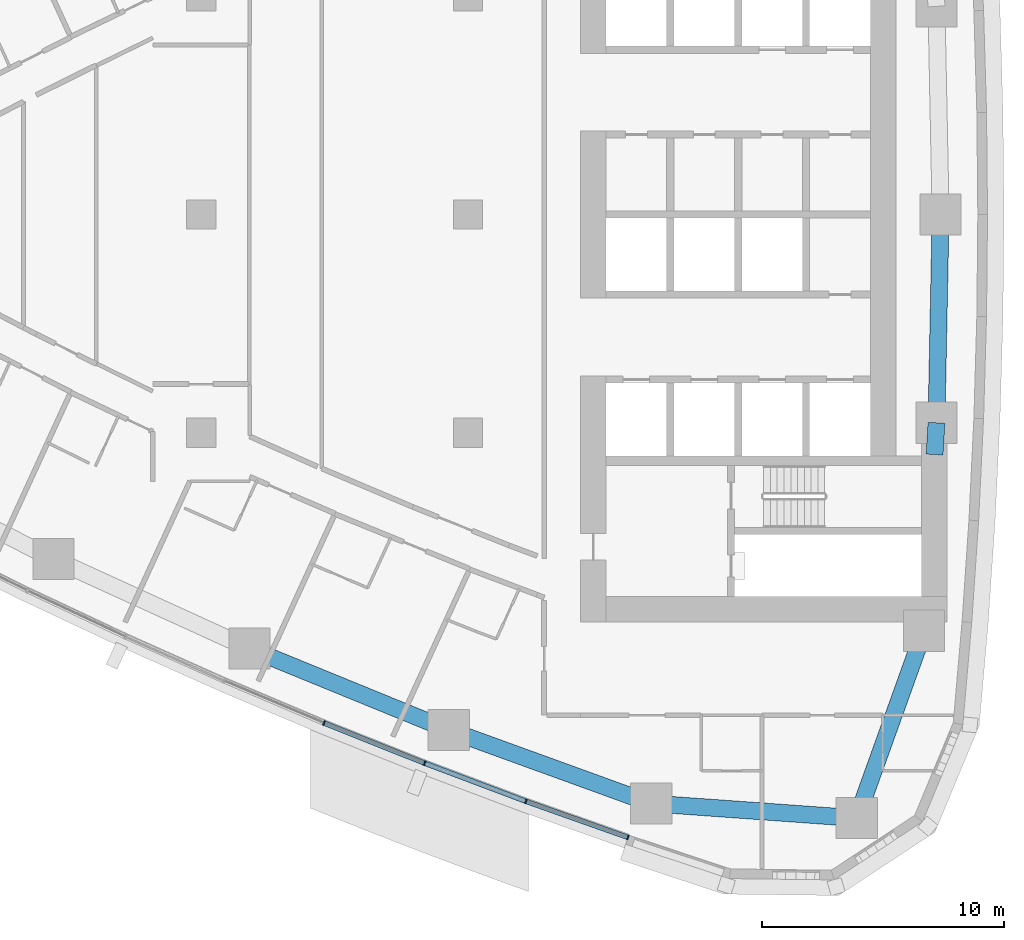
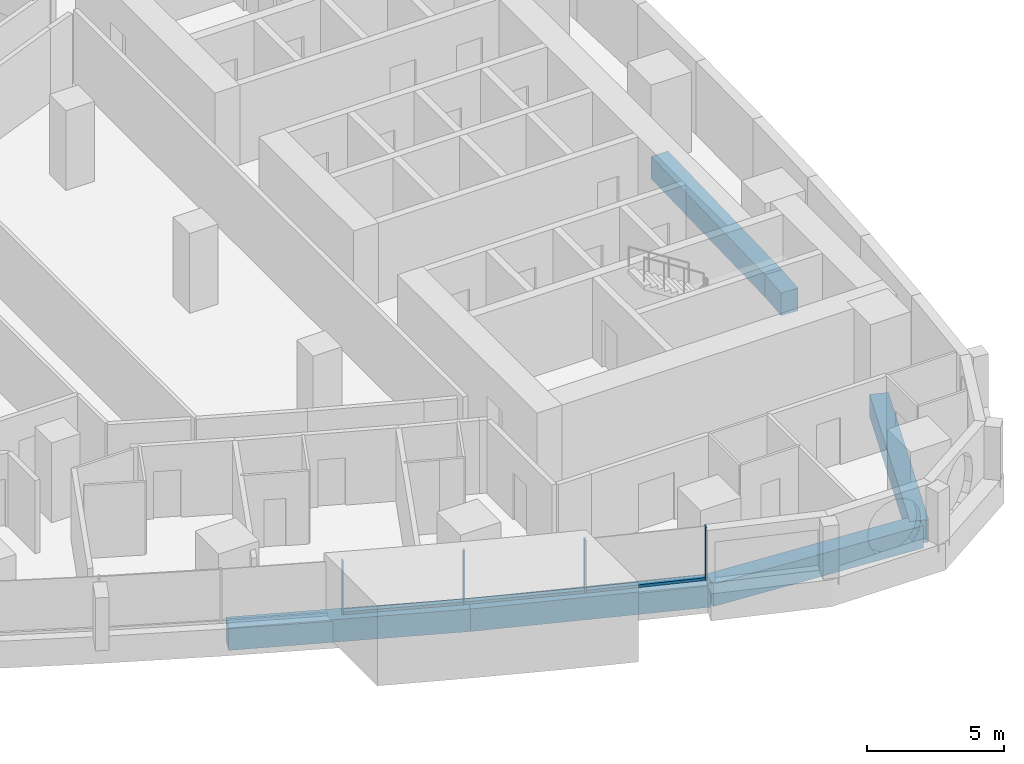
# One storey, part 4 of 17: 7 members, 6 beams, 2 elements without a shape of their own.
"""IFC4 building model written with IfcOpenShell, lengths in metres."""

from ifc_helpers import new_model, si_unit, direction, frame, origin, origin_2d, place, context, subcontext, project, spatial, rectangle, extrude, material, layer, layer_set, material_profile, profile_set, type_object, element, aggregate, save


model = new_model("IFC4")

# Units and contexts
model_context = context("Model", 3, precision=1e-05, world=origin(), true_north=direction((0.0, 1.0)))
body_context = subcontext(model_context, "Body", "Model", "MODEL_VIEW")
ifc_project = project(units=[si_unit("LENGTHUNIT", "METRE"), si_unit("AREAUNIT", "SQUARE_METRE"), si_unit("VOLUMEUNIT", "CUBIC_METRE"), si_unit("PLANEANGLEUNIT", "RADIAN"), si_unit("MASSUNIT", "GRAM", prefix="KILO")], contexts=[model_context])

# Site, building, storey
site_placement = place(None, origin())
site = spatial("IfcSite", under=ifc_project, at=site_placement, CompositionType="ELEMENT")
building_placement = place(site_placement, origin())
building = spatial("IfcBuilding", under=site, at=building_placement, Name="Ostrand Prow Hotel Tower", CompositionType="ELEMENT")
storey_placement = place(building_placement, frame((0.0, 0.0, 102.64990234375)))
storey = spatial("IfcBuildingStorey", under=building, at=storey_placement, Name="L24", CompositionType="ELEMENT", Elevation=102.64990234375)

# Beams
ifc_material_1 = material(Name="Concrete C80/95", Category="concrete")
ifc_material_profile_1 = material_profile(ifc_material_1, rectangle(XDim=0.699951171875, YDim=1.0, at=origin_2d()), Name="RC 700x1000")
ifc_profile_set_1 = profile_set([ifc_material_profile_1], Name="Concrete C80/95")
beam_type = type_object("IfcBeamType", Name="Edge beam 700x1000 C80/95", PredefinedType="SPANDREL", material=ifc_profile_set_1)
beam_1_placement = place(storey_placement, frame((35.98828125, -17.901611328125, -0.7998046875), z_axis=(0.925612172894, -0.378473387955, 0.0), x_axis=(0.378473387955, 0.925612172894, 0.0)))
element("IfcBeam", 1, at=beam_1_placement, inside=storey, type_object=beam_type, Name="Edge beam S4-S5", PredefinedType="SPANDREL", context=body_context, shape_type="SweptSolid", body=[
    extrude(rectangle(XDim=0.699951171875, YDim=1.0, at=origin_2d()), origin(), (0.0, 0.0, 1.0), 8.88330078125),
])
beam_2_placement = place(storey_placement, frame((44.210693359375, -21.263671875, -0.7998046875), z_axis=(0.940062739321, -0.341001533927, 0.0), x_axis=(0.341001533927, 0.940062739321, 0.0)))
element("IfcBeam", 2, at=beam_2_placement, inside=storey, type_object=beam_type, Name="Edge beam S5-S6", PredefinedType="SPANDREL", context=body_context, shape_type="SweptSolid", body=[
    extrude(rectangle(XDim=0.699951171875, YDim=1.0, at=origin_2d()), origin(), (0.0, 0.0, 1.0), 8.883544921875),
])
beam_3_placement = place(storey_placement, frame((52.561767578125, -24.29296875, -0.7998046875), z_axis=(0.99747195063, -0.071061295414, 0.0), x_axis=(0.071061295414, 0.99747195063, 0.0)))
element("IfcBeam", 3, at=beam_3_placement, inside=storey, type_object=beam_type, Name="Edge beam S6-SE", PredefinedType="SPANDREL", context=body_context, shape_type="SweptSolid", body=[
    extrude(rectangle(XDim=0.699951171875, YDim=1.0, at=origin_2d()), origin(), (0.0, 0.0, 1.0), 8.499755859375),
])
beam_4_placement = place(storey_placement, frame((61.0400390625, -24.89697265625, -0.7998046875), z_axis=(0.337815484063, 0.941212355809, 0.0), x_axis=(-0.941212355809, 0.337815484063, 0.0)))
element("IfcBeam", 4, at=beam_4_placement, inside=storey, type_object=beam_type, Name="Edge beam SE-B1", PredefinedType="SPANDREL", context=body_context, shape_type="SweptSolid", body=[
    extrude(rectangle(XDim=0.699951171875, YDim=1.0, at=origin_2d()), origin(), (0.0, 0.0, 1.0), 8.21630859375),
])
beam_5_placement = place(storey_placement, frame((64.25048828125, -9.89990234375, -0.7998046875), z_axis=(0.059658953766, 0.998218818314, 0.0), x_axis=(-0.998218818314, 0.059658953766, 0.0)))
element("IfcBeam", 5, at=beam_5_placement, inside=storey, type_object=beam_type, Name="Edge beam B1-B2", PredefinedType="SPANDREL", context=body_context, shape_type="SweptSolid", body=[
    extrude(rectangle(XDim=0.699951171875, YDim=1.0, at=origin_2d()), origin(), (0.0, 0.0, 1.0), 1.313720703125),
])
beam_6_placement = place(storey_placement, frame((64.328857421875, -8.588623046875, -0.7998046875), z_axis=(0.019922705812, 0.9998015232, 0.0), x_axis=(-0.9998015232, 0.019922705812, 0.0)))
element("IfcBeam", 6, at=beam_6_placement, inside=storey, type_object=beam_type, Name="Edge beam B2-B3", PredefinedType="SPANDREL", context=body_context, shape_type="SweptSolid", body=[
    extrude(rectangle(XDim=0.699951171875, YDim=1.0, at=origin_2d()), origin(), (0.0, 0.0, 1.0), 8.59033203125),
])

# Curtain wall, members
ifc_material_2 = material(Name="Insulated glass in bronze anodised frame", Category="glass")
ifc_layer = layer(ifc_material_2, 0.199951171875)
ifc_layer_set = layer_set([ifc_layer], Name="Insulated glass in bronze anodised frame")
curtain_wall_type = type_object("IfcCurtainWallType", Name="Strip curtain wall, fritted glass over bronze spandrel", PredefinedType="NOTDEFINED", material=ifc_layer_set)
curtain_wall_1_placement = place(storey_placement, origin())
curtain_wall_1 = element("IfcCurtainWall", 7, at=curtain_wall_1_placement, inside=storey, type_object=curtain_wall_type, Name="CW1 run CWS4", PredefinedType="NOTDEFINED")
ifc_material_3 = material(Name="Bronze anodised aluminium", Category="aluminium")
ifc_material_profile_2 = material_profile(ifc_material_3, rectangle(XDim=0.199951171875, YDim=0.06005859375, at=origin_2d()), Name="Mullion 60x200 bronze anodised aluminium")
ifc_profile_set_2 = profile_set([ifc_material_profile_2], Name="Bronze anodised aluminium")
member_type_1 = type_object("IfcMemberType", Name="Mullion 60x200 bronze anodised aluminium", PredefinedType="MULLION", material=ifc_profile_set_2)
member_1_placement = place(storey_placement, frame((39.06396484375, -20.97265625, 0.900146484375), z_axis=(0.0, 0.0, 1.0), x_axis=(0.370982121315, 0.928640008649, 0.0)))
member_1 = element("IfcMember", 8, at=member_1_placement, type_object=member_type_1, Name="CW1 mullion 2", PredefinedType="MULLION", context=body_context, shape_type="SweptSolid", body=[
    extrude(rectangle(XDim=0.199951171875, YDim=0.06005859375, at=origin_2d()), origin(), (0.0, 0.0, 1.0), 2.349853515625),
])
member_2_placement = place(storey_placement, frame((43.211181640625, -22.62939453125, 0.900146484375), z_axis=(0.0, 0.0, 1.0), x_axis=(0.370982121315, 0.928640008649, 0.0)))
member_2 = element("IfcMember", 9, at=member_2_placement, type_object=member_type_1, Name="CW1 mullion 3", PredefinedType="MULLION", context=body_context, shape_type="SweptSolid", body=[
    extrude(rectangle(XDim=0.199951171875, YDim=0.06005859375, at=origin_2d()), origin(), (0.0, 0.0, 1.0), 2.349853515625),
])

curtain_wall_2_placement = place(storey_placement, origin())
curtain_wall_2 = element("IfcCurtainWall", 10, at=curtain_wall_2_placement, inside=storey, type_object=curtain_wall_type, Name="CW1 run CWS5", PredefinedType="NOTDEFINED")
member_3_placement = place(storey_placement, frame((47.390869140625, -24.202880859375, 0.900146484375), z_axis=(0.0, 0.0, 1.0), x_axis=(0.333495894542, 0.942751551748, 0.0)))
member_3 = element("IfcMember", 11, at=member_3_placement, type_object=member_type_1, Name="CW1 mullion 2", PredefinedType="MULLION", context=body_context, shape_type="SweptSolid", body=[
    extrude(rectangle(XDim=0.199951171875, YDim=0.06005859375, at=origin_2d()), origin(), (0.0, 0.0, 1.0), 2.349853515625),
])
member_4_placement = place(storey_placement, frame((51.601318359375, -25.692138671875, 0.900146484375), z_axis=(0.0, 0.0, 1.0), x_axis=(0.333495894542, 0.942751551748, 0.0)))
member_4 = element("IfcMember", 12, at=member_4_placement, type_object=member_type_1, Name="CW1 mullion 3", PredefinedType="MULLION", context=body_context, shape_type="SweptSolid", body=[
    extrude(rectangle(XDim=0.199951171875, YDim=0.06005859375, at=origin_2d()), origin(), (0.0, 0.0, 1.0), 2.349853515625),
])

# Member
ifc_material_4 = material(Name="Bronze anodised aluminium", Category="aluminium")
ifc_material_profile_3 = material_profile(ifc_material_4, rectangle(XDim=0.199951171875, YDim=0.1201171875, at=origin_2d()), Name="Transom 120x200 bronze anodised aluminium")
ifc_profile_set_3 = profile_set([ifc_material_profile_3], Name="Bronze anodised aluminium")
member_type_2 = type_object("IfcMemberType", Name="Transom 120x200 bronze anodised aluminium", PredefinedType="USERDEFINED", material=ifc_profile_set_3)
member_5_placement = place(storey_placement, frame((39.091796875, -20.983642578125, 0.960205078125), z_axis=(0.928621833209, -0.371027614724, 0.0), x_axis=(0.371027614724, 0.928621833209, 0.0)))
member_5 = element("IfcMember", 13, at=member_5_placement, type_object=member_type_2, Name="CW1 transom 2.1", ObjectType="TRANSOM", PredefinedType="USERDEFINED", context=body_context, shape_type="SweptSolid", body=[
    extrude(rectangle(XDim=0.199951171875, YDim=0.1201171875, at=origin_2d()), origin(), (0.0, 0.0, 1.0), 4.406005859375),
])

aggregate(curtain_wall_1, [member_1, member_2, member_5])

member_6_placement = place(storey_placement, frame((43.2392578125, -22.639892578125, 0.960205078125), z_axis=(0.935868398429, -0.352349742191, 0.0), x_axis=(0.352349742191, 0.935868398429, 0.0)))
member_6 = element("IfcMember", 14, at=member_6_placement, type_object=member_type_2, Name="CW1 transom 1.1", ObjectType="TRANSOM", PredefinedType="USERDEFINED", context=body_context, shape_type="SweptSolid", body=[
    extrude(rectangle(XDim=0.199951171875, YDim=0.1201171875, at=origin_2d()), origin(), (0.0, 0.0, 1.0), 4.406005859375),
])

member_7_placement = place(storey_placement, frame((47.419189453125, -24.212890625, 0.960205078125), z_axis=(0.942763014139, -0.333463490013, 0.0), x_axis=(0.333463490013, 0.942763014139, 0.0)))
member_7 = element("IfcMember", 15, at=member_7_placement, type_object=member_type_2, Name="CW1 transom 2.1", ObjectType="TRANSOM", PredefinedType="USERDEFINED", context=body_context, shape_type="SweptSolid", body=[
    extrude(rectangle(XDim=0.199951171875, YDim=0.1201171875, at=origin_2d()), origin(), (0.0, 0.0, 1.0), 4.406005859375),
])

aggregate(curtain_wall_2, [member_3, member_4, member_6, member_7])

save(model, "model.ifc")
